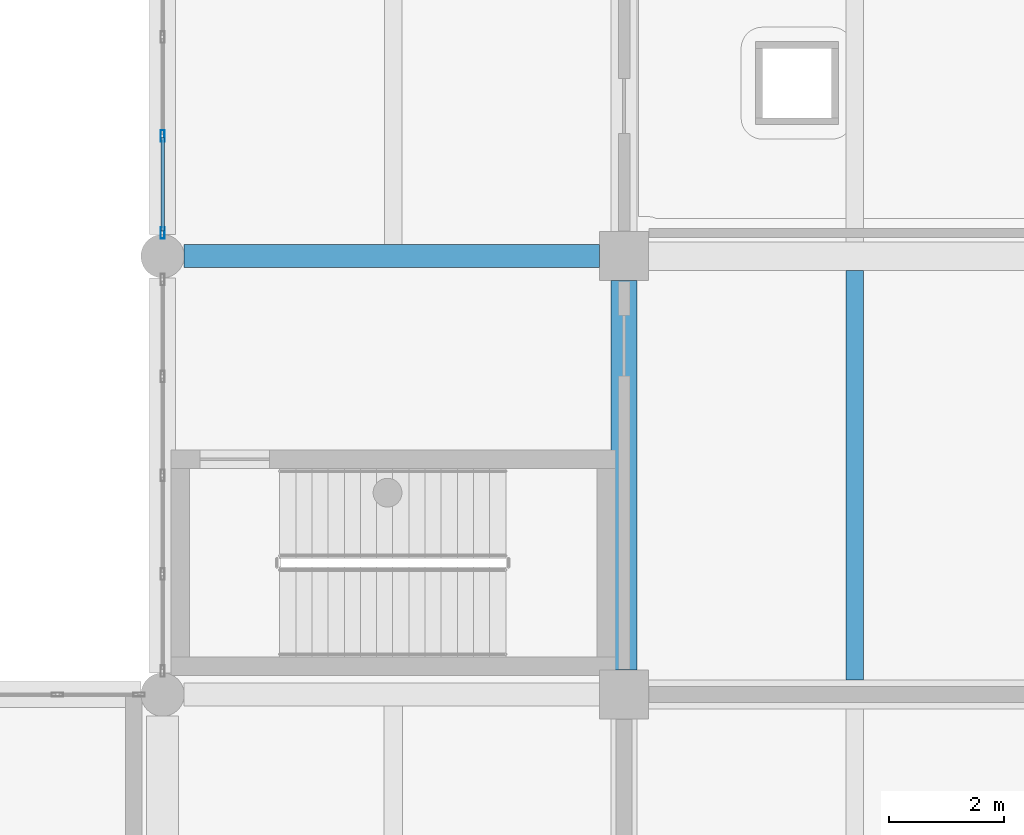
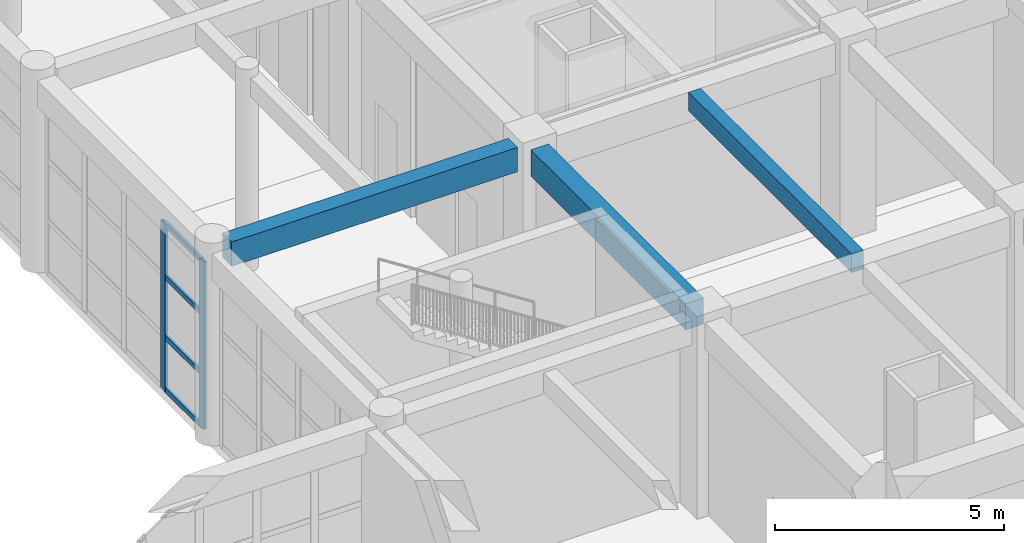
# One storey, part 23 of 95: 6 members, 3 beams, 1 element without a shape of its own.
"""IFC4 building model written with IfcOpenShell, lengths in metres."""

from ifc_helpers import new_model, si_unit, direction, frame, origin, origin_2d, place, context, subcontext, project, spatial, rectangle, hollow_rectangle, extrude, material, material_profile, profile_set, type_object, element, aggregate, save


model = new_model("IFC4")

# Units and contexts
model_context = context("Model", 3, precision=1e-05, world=origin(), true_north=direction((0.0, 1.0)))
body_context = subcontext(model_context, "Body", "Model", "MODEL_VIEW")
ifc_project = project(units=[si_unit("LENGTHUNIT", "METRE"), si_unit("AREAUNIT", "SQUARE_METRE"), si_unit("VOLUMEUNIT", "CUBIC_METRE"), si_unit("PLANEANGLEUNIT", "RADIAN"), si_unit("MASSUNIT", "GRAM", prefix="KILO")], contexts=[model_context])

# Site, building, storey
site_placement = place(None, origin())
site = spatial("IfcSite", under=ifc_project, at=site_placement, CompositionType="ELEMENT")
building_placement = place(site_placement, origin())
building = spatial("IfcBuilding", under=site, at=building_placement, Name="Zantavel Square City Hall", CompositionType="ELEMENT")
storey_placement = place(building_placement, origin())
storey = spatial("IfcBuildingStorey", under=building, at=storey_placement, Name="L01", CompositionType="ELEMENT", Elevation=0.0)

# Curtain wall, members
ifc_material_1 = material(Name="Anodised aluminium 6063-T6", Category="aluminium")
curtain_wall_type = type_object("IfcCurtainWallType", Name="Curtain Wall CRT 6850x4460", PredefinedType="USERDEFINED", material=ifc_material_1)
curtain_wall_placement = place(storey_placement, origin())
curtain_wall = element("IfcCurtainWall", 1, at=curtain_wall_placement, inside=storey, type_object=curtain_wall_type, Name="L01 Glazed Curtain Wall CW-L01-015", ObjectType="GLAZED CURTAIN WALL", PredefinedType="USERDEFINED")
ifc_material_profile_1 = material_profile(ifc_material_1, hollow_rectangle(XDim=0.070068359375, YDim=0.199951171875, WallThickness=0.00439453125, at=origin_2d()), Name="ALU 70x200x4.5")
ifc_profile_set_1 = profile_set([ifc_material_profile_1], Name="Anodised aluminium 6063-T6")
member_type_1 = type_object("IfcMemberType", Name="CW Heavy Hall Mullion ALU 70x200x4.5", PredefinedType="MULLION", material=ifc_profile_set_1)
member_1_placement = place(storey_placement, frame((48.0, 46.0048828125, 0.0), z_axis=(0.0, 0.0, 1.0), x_axis=(-1.0, 0.0, 0.0)))
member_1 = element("IfcMember", 2, at=member_1_placement, type_object=member_type_1, Name="CW-015 mullion 1", PredefinedType="MULLION", context=body_context, shape_type="SweptSolid", body=[
    extrude(hollow_rectangle(XDim=0.070068359375, YDim=0.199951171875, WallThickness=0.00439453125, at=origin_2d()), origin(), (0.0, 0.0, 1.0), 4.4599609375),
])
member_2_placement = place(storey_placement, frame((48.0, 47.6875, 0.0), z_axis=(0.0, 0.0, 1.0), x_axis=(-1.0, 0.0, 0.0)))
member_2 = element("IfcMember", 3, at=member_2_placement, type_object=member_type_1, Name="CW-015 mullion 2", PredefinedType="MULLION", context=body_context, shape_type="SweptSolid", body=[
    extrude(hollow_rectangle(XDim=0.070068359375, YDim=0.199951171875, WallThickness=0.00439453125, at=origin_2d()), origin(), (0.0, 0.0, 1.0), 4.4599609375),
])
ifc_material_profile_2 = material_profile(ifc_material_1, hollow_rectangle(XDim=0.06005859375, YDim=0.139892578125, WallThickness=0.00390625, at=origin_2d()), Name="ALU 60x140x4")
ifc_profile_set_2 = profile_set([ifc_material_profile_2], Name="Anodised aluminium 6063-T6")
member_type_2 = type_object("IfcMemberType", Name="CW Transom ALU 60x140x4", PredefinedType="USERDEFINED", material=ifc_profile_set_2)
member_3_placement = place(storey_placement, frame((48.0, 46.034912109375, 0.030029296875), z_axis=(0.0, 1.0, 0.0), x_axis=(-1.0, 0.0, 0.0)))
member_3 = element("IfcMember", 4, at=member_3_placement, type_object=member_type_2, Name="CW-015 transom 1.1", ObjectType="TRANSOM", PredefinedType="USERDEFINED", context=body_context, shape_type="SweptSolid", body=[
    extrude(hollow_rectangle(XDim=0.06005859375, YDim=0.139892578125, WallThickness=0.00390625, at=origin_2d()), origin(), (0.0, 0.0, 1.0), 1.62255859375),
])
member_4_placement = place(storey_placement, frame((48.0, 46.034912109375, 1.427001953125), z_axis=(0.0, 1.0, 0.0), x_axis=(-1.0, 0.0, 0.0)))
member_4 = element("IfcMember", 5, at=member_4_placement, type_object=member_type_2, Name="CW-015 transom 1.2", ObjectType="TRANSOM", PredefinedType="USERDEFINED", context=body_context, shape_type="SweptSolid", body=[
    extrude(hollow_rectangle(XDim=0.06005859375, YDim=0.139892578125, WallThickness=0.00390625, at=origin_2d()), origin(), (0.0, 0.0, 1.0), 1.62255859375),
])
member_5_placement = place(storey_placement, frame((48.0, 46.034912109375, 3.032958984375), z_axis=(0.0, 1.0, 0.0), x_axis=(-1.0, 0.0, 0.0)))
member_5 = element("IfcMember", 6, at=member_5_placement, type_object=member_type_2, Name="CW-015 transom 1.3", ObjectType="TRANSOM", PredefinedType="USERDEFINED", context=body_context, shape_type="SweptSolid", body=[
    extrude(hollow_rectangle(XDim=0.06005859375, YDim=0.139892578125, WallThickness=0.00390625, at=origin_2d()), origin(), (0.0, 0.0, 1.0), 1.62255859375),
])
member_6_placement = place(storey_placement, frame((48.0, 46.034912109375, 4.429931640625), z_axis=(0.0, 1.0, 0.0), x_axis=(-1.0, 0.0, 0.0)))
member_6 = element("IfcMember", 7, at=member_6_placement, type_object=member_type_2, Name="CW-015 transom 1.4", ObjectType="TRANSOM", PredefinedType="USERDEFINED", context=body_context, shape_type="SweptSolid", body=[
    extrude(hollow_rectangle(XDim=0.06005859375, YDim=0.139892578125, WallThickness=0.00390625, at=origin_2d()), origin(), (0.0, 0.0, 1.0), 1.62255859375),
])
aggregate(curtain_wall, [member_1, member_2, member_3, member_4, member_5, member_6])

# Beams
ifc_material_2 = material(Name="Concrete C35/45", Category="concrete")
ifc_material_profile_3 = material_profile(ifc_material_2, rectangle(XDim=0.300048828125, YDim=0.5, at=origin_2d()), Name="RC 300x500")
ifc_profile_set_3 = profile_set([ifc_material_profile_3], Name="Concrete C35/45")
beam_type_1 = type_object("IfcBeamType", Name="Floor Joist RC 300x500 C35/45", PredefinedType="JOIST", material=ifc_profile_set_3)
beam_1_placement = place(storey_placement, frame((60.0, 38.25, 4.909912109375), z_axis=(0.0, 1.0, 0.0), x_axis=(-1.0, 0.0, 0.0)))
element("IfcBeam", 8, at=beam_1_placement, inside=storey, type_object=beam_type_1, Name="L01 Floor Joist JST-L01-0600-0380", PredefinedType="JOIST", context=body_context, shape_type="SweptSolid", body=[
    extrude(rectangle(XDim=0.300048828125, YDim=0.5, at=origin_2d()), origin(), (0.0, 0.0, 1.0), 7.10009765625),
])
ifc_material_profile_4 = material_profile(ifc_material_2, rectangle(XDim=0.39990234375, YDim=0.64990234375, at=origin_2d()), Name="RC 400x650")
ifc_profile_set_4 = profile_set([ifc_material_profile_4], Name="Concrete C35/45")
beam_type_2 = type_object("IfcBeamType", Name="Frame Beam RC 400x650 C35/45", PredefinedType="BEAM", material=ifc_profile_set_4)
beam_2_placement = place(storey_placement, frame((48.375, 45.60009765625, 4.8349609375), z_axis=(1.0, 0.0, 0.0), x_axis=(0.0, 1.0, 0.0)))
element("IfcBeam", 9, at=beam_2_placement, inside=storey, type_object=beam_type_2, Name="L01 Girder BMX-L01-0480-0456", PredefinedType="BEAM", context=body_context, shape_type="SweptSolid", body=[
    extrude(rectangle(XDim=0.39990234375, YDim=0.64990234375, at=origin_2d()), origin(), (0.0, 0.0, 1.0), 7.199951171875),
])
ifc_material_profile_5 = material_profile(ifc_material_2, rectangle(XDim=0.449951171875, YDim=0.699951171875, at=origin_2d()), Name="RC 450x700")
ifc_profile_set_5 = profile_set([ifc_material_profile_5], Name="Concrete C35/45")
beam_type_3 = type_object("IfcBeamType", Name="Primary Girder RC 450x700 C35/45", PredefinedType="BEAM", material=ifc_profile_set_5)
beam_3_placement = place(storey_placement, frame((56.0, 38.425048828125, 4.81005859375), z_axis=(0.0, 1.0, 0.0), x_axis=(-1.0, 0.0, 0.0)))
element("IfcBeam", 10, at=beam_3_placement, inside=storey, type_object=beam_type_3, Name="L01 Beam BMY-L01-0560-0380", PredefinedType="BEAM", context=body_context, shape_type="SweptSolid", body=[
    extrude(rectangle(XDim=0.449951171875, YDim=0.699951171875, at=origin_2d()), origin(), (0.0, 0.0, 1.0), 6.75),
])

save(model, "model.ifc")
